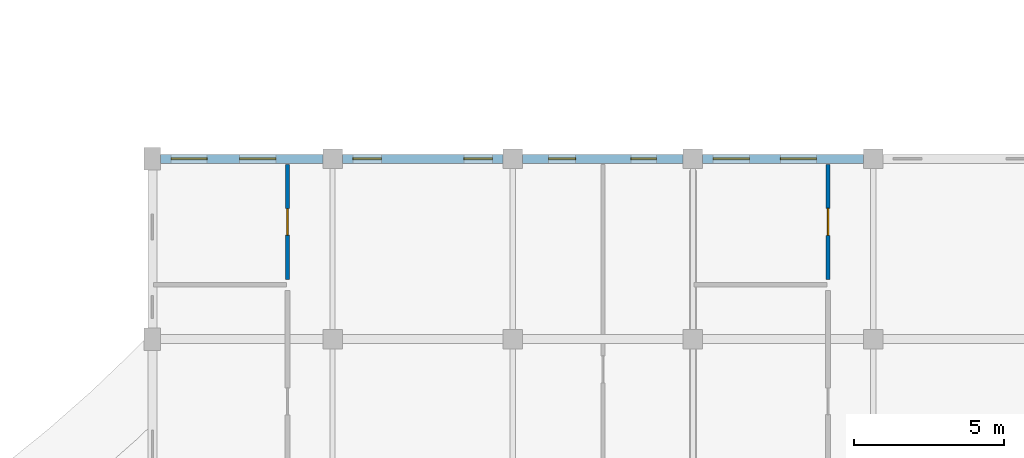
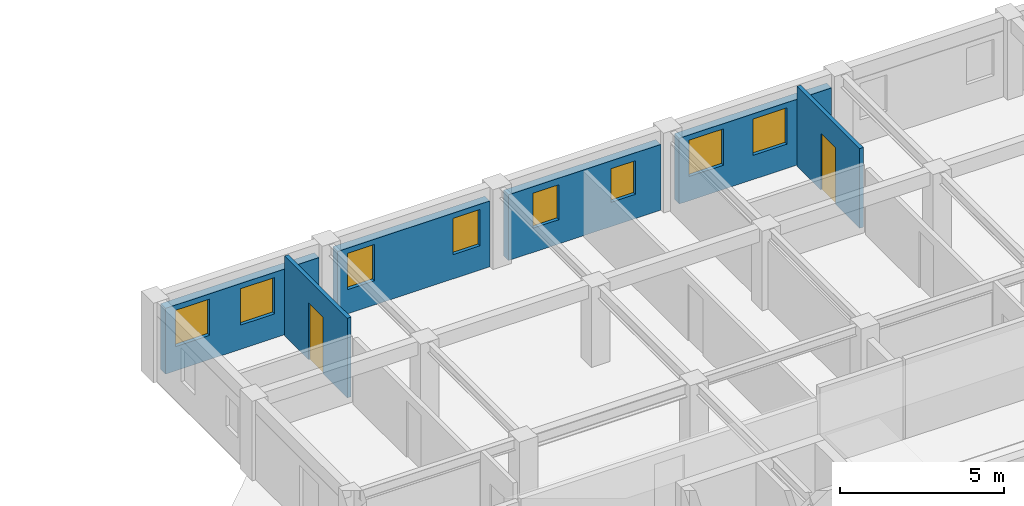
# One storey, part 66 of 100: 8 windows, 6 walls, 2 doors, 10 openings.
"""IFC4 building model written with IfcOpenShell, lengths in metres."""

from ifc_helpers import new_model, si_unit, direction, frame, frame_2d, origin, place, context, subcontext, project, spatial, rectangle, extrude, material, layer, layer_set, type_object, element, fill, save


model = new_model("IFC4")

# Units and contexts
model_context = context("Model", 3, precision=1e-05, world=origin(), true_north=direction((0.0, 1.0)))
body_context = subcontext(model_context, "Body", "Model", "MODEL_VIEW")
ifc_project = project(units=[si_unit("LENGTHUNIT", "METRE"), si_unit("AREAUNIT", "SQUARE_METRE"), si_unit("VOLUMEUNIT", "CUBIC_METRE"), si_unit("PLANEANGLEUNIT", "RADIAN"), si_unit("MASSUNIT", "GRAM", prefix="KILO"), si_unit("POWERUNIT", "WATT"), si_unit("THERMODYNAMICTEMPERATUREUNIT", "KELVIN")], contexts=[model_context])

# Site, building, storey
site_placement = place(None, origin())
site = spatial("IfcSite", under=ifc_project, at=site_placement, CompositionType="ELEMENT")
building_placement = place(site_placement, origin())
building = spatial("IfcBuilding", under=site, at=building_placement, Name="Ruvembo Vaulted Housing Court", CompositionType="ELEMENT")
storey_placement = place(building_placement, frame((0.0, 0.0, 10.89990234375)))
storey = spatial("IfcBuildingStorey", under=building, at=storey_placement, Name="L03", CompositionType="ELEMENT", Elevation=10.89990234375)

# Wall, openings, windows
ifc_material_1 = material(Name="Rendered Masonry 300", Category="masonry")
ifc_layer_1 = layer(ifc_material_1, 0.300048828125, Name="Rendered Masonry 300")
ifc_layer_set_1 = layer_set([ifc_layer_1], Name="Rendered Masonry 300")
wall_type_1 = type_object("IfcWallType", Name="WL-EXT-300", PredefinedType="STANDARD", material=ifc_layer_set_1)
wall_1_placement = place(storey_placement, frame((125.675048828125, 36.0, 0.0), z_axis=(0.0, 0.0, 1.0), x_axis=(-1.0, 0.0, 0.0)))
wall_1 = element("IfcWall", 1, at=wall_1_placement, inside=storey, type_object=wall_type_1, Name="Block C L03 Exterior Wall COURTYARD #3", PredefinedType="STANDARD", context=body_context, shape_type="SweptSolid", body=[
    extrude(rectangle(XDim=5.35009765625, YDim=0.300048828125, at=frame_2d((2.675048828125, 0.0))), origin(), (0.0, 0.0, 1.0), 2.442138671875),
])
opening_1_placement = place(wall_1_placement, frame((1.56494140625, 0.0, 0.89990234375)))
opening_1 = element("IfcOpeningElement", 2, at=opening_1_placement, cuts=wall_1, Name="Opening W12", PredefinedType="OPENING", context=body_context, shape_type="SweptSolid", body=[
    extrude(rectangle(XDim=1.199951171875, YDim=1.35009765625, at=frame_2d((0.60009765625, 0.675048828125))), frame((0.0, 0.159912109375, 0.0), z_axis=(0.0, -1.0, 0.0), x_axis=(1.0, 0.0, 0.0)), (0.0, 0.0, 1.0), 0.320068359375),
])
opening_2_placement = place(wall_1_placement, frame((3.800048828125, 0.0, 0.89990234375)))
opening_2 = element("IfcOpeningElement", 3, at=opening_2_placement, cuts=wall_1, Name="Opening W12", PredefinedType="OPENING", context=body_context, shape_type="SweptSolid", body=[
    extrude(rectangle(XDim=1.199951171875, YDim=1.35009765625, at=frame_2d((0.60009765625, 0.675048828125))), frame((0.0, 0.159912109375, 0.0), z_axis=(0.0, -1.0, 0.0), x_axis=(1.0, 0.0, 0.0)), (0.0, 0.0, 1.0), 0.320068359375),
])
ifc_material_2 = material(Name="Double Solar-Control Glazing in Aluminium Frame", Category="aluminium")
window_type_1 = type_object("IfcWindowType", Name="WIN-1200x1350", PartitioningType="SINGLE_PANEL", PredefinedType="WINDOW", material=ifc_material_2)
window_1_placement = place(opening_1_placement, origin())
window_1 = element("IfcWindow", 4, at=window_1_placement, inside=storey, type_object=window_type_1, Name="Block C L03 Window #1223", OverallHeight=1.35009765625, OverallWidth=1.199951171875, PartitioningType="SINGLE_PANEL", PredefinedType="WINDOW", context=body_context, shape_type="SweptSolid", body=[
    extrude(rectangle(XDim=1.199951171875, YDim=1.35009765625, at=frame_2d((0.60009765625, 0.675048828125))), frame((0.0, 0.030029296875, 0.0), z_axis=(0.0, -1.0, 0.0), x_axis=(1.0, 0.0, 0.0)), (0.0, 0.0, 1.0), 0.06005859375),
])
fill(opening_1, window_1)
window_2_placement = place(opening_2_placement, origin())
window_2 = element("IfcWindow", 5, at=window_2_placement, inside=storey, type_object=window_type_1, Name="Block C L03 Window #1224", OverallHeight=1.35009765625, OverallWidth=1.199951171875, PartitioningType="SINGLE_PANEL", PredefinedType="WINDOW", context=body_context, shape_type="SweptSolid", body=[
    extrude(rectangle(XDim=1.199951171875, YDim=1.35009765625, at=frame_2d((0.60009765625, 0.675048828125))), frame((0.0, 0.030029296875, 0.0), z_axis=(0.0, -1.0, 0.0), x_axis=(1.0, 0.0, 0.0)), (0.0, 0.0, 1.0), 0.06005859375),
])
fill(opening_2, window_2)

wall_2_placement = place(storey_placement, frame((119.675048828125, 36.0, 0.0), z_axis=(0.0, 0.0, 1.0), x_axis=(-1.0, 0.0, 0.0)))
wall_2 = element("IfcWall", 6, at=wall_2_placement, inside=storey, type_object=wall_type_1, Name="Block C L03 Exterior Wall COURTYARD #4", PredefinedType="STANDARD", context=body_context, shape_type="SweptSolid", body=[
    extrude(rectangle(XDim=5.35009765625, YDim=0.300048828125, at=frame_2d((2.675048828125, 0.0))), origin(), (0.0, 0.0, 1.0), 2.442138671875),
])
opening_3_placement = place(wall_2_placement, frame((0.892578125, 0.0, 0.89990234375)))
opening_3 = element("IfcOpeningElement", 7, at=opening_3_placement, cuts=wall_2, Name="Opening W03", PredefinedType="OPENING", context=body_context, shape_type="SweptSolid", body=[
    extrude(rectangle(XDim=0.85009765625, YDim=1.25, at=frame_2d((0.425048828125, 0.625))), frame((0.0, 0.159912109375, 0.0), z_axis=(0.0, -1.0, 0.0), x_axis=(1.0, 0.0, 0.0)), (0.0, 0.0, 1.0), 0.320068359375),
])
opening_4_placement = place(wall_2_placement, frame((3.58251953125, 0.0, 0.89990234375)))
opening_4 = element("IfcOpeningElement", 8, at=opening_4_placement, cuts=wall_2, Name="Opening W04", PredefinedType="OPENING", context=body_context, shape_type="SweptSolid", body=[
    extrude(rectangle(XDim=0.89990234375, YDim=1.300048828125, at=frame_2d((0.449951171875, 0.64990234375))), frame((0.0, 0.159912109375, 0.0), z_axis=(0.0, -1.0, 0.0), x_axis=(1.0, 0.0, 0.0)), (0.0, 0.0, 1.0), 0.320068359375),
])
window_type_2 = type_object("IfcWindowType", Name="WIN-0850x1250", PartitioningType="SINGLE_PANEL", PredefinedType="WINDOW", material=ifc_material_2)
window_3_placement = place(opening_3_placement, origin())
window_3 = element("IfcWindow", 9, at=window_3_placement, inside=storey, type_object=window_type_2, Name="Block C L03 Window #1225", OverallHeight=1.25, OverallWidth=0.85009765625, PartitioningType="SINGLE_PANEL", PredefinedType="WINDOW", context=body_context, shape_type="SweptSolid", body=[
    extrude(rectangle(XDim=0.85009765625, YDim=1.25, at=frame_2d((0.425048828125, 0.625))), frame((0.0, 0.030029296875, 0.0), z_axis=(0.0, -1.0, 0.0), x_axis=(1.0, 0.0, 0.0)), (0.0, 0.0, 1.0), 0.06005859375),
])
fill(opening_3, window_3)
window_type_3 = type_object("IfcWindowType", Name="WIN-0900x1300", PartitioningType="SINGLE_PANEL", PredefinedType="WINDOW", material=ifc_material_2)
window_4_placement = place(opening_4_placement, origin())
window_4 = element("IfcWindow", 10, at=window_4_placement, inside=storey, type_object=window_type_3, Name="Block C L03 Window #1226", OverallHeight=1.300048828125, OverallWidth=0.89990234375, PartitioningType="SINGLE_PANEL", PredefinedType="WINDOW", context=body_context, shape_type="SweptSolid", body=[
    extrude(rectangle(XDim=0.89990234375, YDim=1.300048828125, at=frame_2d((0.449951171875, 0.64990234375))), frame((0.0, 0.030029296875, 0.0), z_axis=(0.0, -1.0, 0.0), x_axis=(1.0, 0.0, 0.0)), (0.0, 0.0, 1.0), 0.06005859375),
])
fill(opening_4, window_4)

wall_3_placement = place(storey_placement, frame((113.675048828125, 36.0, 0.0), z_axis=(0.0, 0.0, 1.0), x_axis=(-1.0, 0.0, 0.0)))
wall_3 = element("IfcWall", 11, at=wall_3_placement, inside=storey, type_object=wall_type_1, Name="Block C L03 Exterior Wall COURTYARD #5", PredefinedType="STANDARD", context=body_context, shape_type="SweptSolid", body=[
    extrude(rectangle(XDim=5.35009765625, YDim=0.300048828125, at=frame_2d((2.675048828125, 0.0))), origin(), (0.0, 0.0, 1.0), 2.442138671875),
])
opening_5_placement = place(wall_3_placement, frame((0.35009765625, 0.0, 0.89990234375)))
opening_5 = element("IfcOpeningElement", 12, at=opening_5_placement, cuts=wall_3, Name="Opening W07", PredefinedType="OPENING", context=body_context, shape_type="SweptSolid", body=[
    extrude(rectangle(XDim=0.949951171875, YDim=1.35009765625, at=frame_2d((0.47509765625, 0.675048828125))), frame((0.0, 0.159912109375, 0.0), z_axis=(0.0, -1.0, 0.0), x_axis=(1.0, 0.0, 0.0)), (0.0, 0.0, 1.0), 0.320068359375),
])
opening_6_placement = place(wall_3_placement, frame((4.050048828125, 0.0, 0.89990234375)))
opening_6 = element("IfcOpeningElement", 13, at=opening_6_placement, cuts=wall_3, Name="Opening W07", PredefinedType="OPENING", context=body_context, shape_type="SweptSolid", body=[
    extrude(rectangle(XDim=0.949951171875, YDim=1.35009765625, at=frame_2d((0.47509765625, 0.675048828125))), frame((0.0, 0.159912109375, 0.0), z_axis=(0.0, -1.0, 0.0), x_axis=(1.0, 0.0, 0.0)), (0.0, 0.0, 1.0), 0.320068359375),
])
window_type_4 = type_object("IfcWindowType", Name="WIN-0950x1350", PartitioningType="SINGLE_PANEL", PredefinedType="WINDOW", material=ifc_material_2)
window_5_placement = place(opening_5_placement, origin())
window_5 = element("IfcWindow", 14, at=window_5_placement, inside=storey, type_object=window_type_4, Name="Block C L03 Window #1227", OverallHeight=1.35009765625, OverallWidth=0.949951171875, PartitioningType="SINGLE_PANEL", PredefinedType="WINDOW", context=body_context, shape_type="SweptSolid", body=[
    extrude(rectangle(XDim=0.949951171875, YDim=1.35009765625, at=frame_2d((0.47509765625, 0.675048828125))), frame((0.0, 0.030029296875, 0.0), z_axis=(0.0, -1.0, 0.0), x_axis=(1.0, 0.0, 0.0)), (0.0, 0.0, 1.0), 0.06005859375),
])
fill(opening_5, window_5)
window_6_placement = place(opening_6_placement, origin())
window_6 = element("IfcWindow", 15, at=window_6_placement, inside=storey, type_object=window_type_4, Name="Block C L03 Window #1228", OverallHeight=1.35009765625, OverallWidth=0.949951171875, PartitioningType="SINGLE_PANEL", PredefinedType="WINDOW", context=body_context, shape_type="SweptSolid", body=[
    extrude(rectangle(XDim=0.949951171875, YDim=1.35009765625, at=frame_2d((0.47509765625, 0.675048828125))), frame((0.0, 0.030029296875, 0.0), z_axis=(0.0, -1.0, 0.0), x_axis=(1.0, 0.0, 0.0)), (0.0, 0.0, 1.0), 0.06005859375),
])
fill(opening_6, window_6)

wall_4_placement = place(storey_placement, frame((107.675048828125, 36.0, 0.0), z_axis=(0.0, 0.0, 1.0), x_axis=(-1.0, 0.0, 0.0)))
wall_4 = element("IfcWall", 16, at=wall_4_placement, inside=storey, type_object=wall_type_1, Name="Block C L03 Exterior Wall COURTYARD #6", PredefinedType="STANDARD", context=body_context, shape_type="SweptSolid", body=[
    extrude(rectangle(XDim=5.400146484375, YDim=0.300048828125, at=frame_2d((2.7001953125, 0.0))), origin(), (0.0, 0.0, 1.0), 2.442138671875),
])
opening_7_placement = place(wall_4_placement, frame((1.56494140625, 0.0, 0.89990234375)))
opening_7 = element("IfcOpeningElement", 17, at=opening_7_placement, cuts=wall_4, Name="Opening W12", PredefinedType="OPENING", context=body_context, shape_type="SweptSolid", body=[
    extrude(rectangle(XDim=1.199951171875, YDim=1.35009765625, at=frame_2d((0.60009765625, 0.675048828125))), frame((0.0, 0.159912109375, 0.0), z_axis=(0.0, -1.0, 0.0), x_axis=(1.0, 0.0, 0.0)), (0.0, 0.0, 1.0), 0.320068359375),
])
opening_8_placement = place(wall_4_placement, frame((3.85009765625, 0.0, 0.89990234375)))
opening_8 = element("IfcOpeningElement", 18, at=opening_8_placement, cuts=wall_4, Name="Opening W12", PredefinedType="OPENING", context=body_context, shape_type="SweptSolid", body=[
    extrude(rectangle(XDim=1.199951171875, YDim=1.35009765625, at=frame_2d((0.60009765625, 0.675048828125))), frame((0.0, 0.159912109375, 0.0), z_axis=(0.0, -1.0, 0.0), x_axis=(1.0, 0.0, 0.0)), (0.0, 0.0, 1.0), 0.320068359375),
])
window_7_placement = place(opening_7_placement, origin())
window_7 = element("IfcWindow", 19, at=window_7_placement, inside=storey, type_object=window_type_1, Name="Block C L03 Window #1229", OverallHeight=1.35009765625, OverallWidth=1.199951171875, PartitioningType="SINGLE_PANEL", PredefinedType="WINDOW", context=body_context, shape_type="SweptSolid", body=[
    extrude(rectangle(XDim=1.199951171875, YDim=1.35009765625, at=frame_2d((0.60009765625, 0.675048828125))), frame((0.0, 0.030029296875, 0.0), z_axis=(0.0, -1.0, 0.0), x_axis=(1.0, 0.0, 0.0)), (0.0, 0.0, 1.0), 0.06005859375),
])
fill(opening_7, window_7)
window_8_placement = place(opening_8_placement, origin())
window_8 = element("IfcWindow", 20, at=window_8_placement, inside=storey, type_object=window_type_1, Name="Block C L03 Window #1230", OverallHeight=1.35009765625, OverallWidth=1.199951171875, PartitioningType="SINGLE_PANEL", PredefinedType="WINDOW", context=body_context, shape_type="SweptSolid", body=[
    extrude(rectangle(XDim=1.199951171875, YDim=1.35009765625, at=frame_2d((0.60009765625, 0.675048828125))), frame((0.0, 0.030029296875, 0.0), z_axis=(0.0, -1.0, 0.0), x_axis=(1.0, 0.0, 0.0)), (0.0, 0.0, 1.0), 0.06005859375),
])
fill(opening_8, window_8)

# Wall, opening, door
ifc_material_3 = material(Name="Acoustic Stud Partition 135", Category="gypsum")
ifc_layer_2 = layer(ifc_material_3, 0.135009765625, Name="Acoustic Stud Partition 135")
ifc_layer_set_2 = layer_set([ifc_layer_2], Name="Acoustic Stud Partition 135")
wall_type_2 = type_object("IfcWallType", Name="WL-PART-135", PredefinedType="PARTITIONING", material=ifc_layer_set_2)
wall_5_placement = place(storey_placement, frame((106.5, 31.989990234375, 0.0), z_axis=(0.0, 0.0, 1.0), x_axis=(0.0, 1.0, 0.0)))
wall_5 = element("IfcWall", 21, at=wall_5_placement, inside=storey, type_object=wall_type_2, Name="L03 Flat C-L03-N1 Bedroom 1 WL-INT-L03-00909", PredefinedType="PARTITIONING", context=body_context, shape_type="SweptSolid", body=[
    extrude(rectangle(XDim=3.820068359375, YDim=0.135009765625, at=frame_2d((1.91015625, 0.0))), origin(), (0.0, 0.0, 1.0), 2.960205078125),
])
opening_9_placement = place(wall_5_placement, frame((1.469970703125, 0.0, 0.0)))
opening_9 = element("IfcOpeningElement", 22, at=opening_9_placement, cuts=wall_5, Name="Opening ID3", PredefinedType="OPENING", context=body_context, shape_type="SweptSolid", body=[
    extrude(rectangle(XDim=0.8798828125, YDim=2.10009765625, at=frame_2d((0.43994140625, 1.050048828125))), frame((0.0, 0.077392578125, 0.0), z_axis=(0.0, -1.0, 0.0), x_axis=(1.0, 0.0, 0.0)), (0.0, 0.0, 1.0), 0.155029296875),
])
ifc_material_4 = material(Name="FSC Hardwood and Engineered Timber", Category="wood")
door_type_1 = type_object("IfcDoorType", Name="DR-ROOM-0880x2100", OperationType="NOTDEFINED", PredefinedType="DOOR", material=ifc_material_4)
door_1_placement = place(opening_9_placement, origin())
door_1 = element("IfcDoor", 23, at=door_1_placement, inside=storey, type_object=door_type_1, Name="L03 Flat C-L03-N1 Bedroom 1 Door DR-INT-L03-00501", OperationType="SINGLE_SWING_LEFT", OverallHeight=2.10009765625, OverallWidth=0.8798828125, PredefinedType="DOOR", context=body_context, shape_type="SweptSolid", body=[
    extrude(rectangle(XDim=0.8798828125, YDim=2.10009765625, at=frame_2d((0.43994140625, 1.050048828125))), frame((0.0, 0.02490234375, 0.0), z_axis=(0.0, -1.0, 0.0), x_axis=(1.0, 0.0, 0.0)), (0.0, 0.0, 1.0), 0.050048828125),
])
fill(opening_9, door_1)

wall_6_placement = place(storey_placement, frame((124.5, 31.989990234375, 0.0), z_axis=(0.0, 0.0, 1.0), x_axis=(0.0, 1.0, 0.0)))
wall_6 = element("IfcWall", 24, at=wall_6_placement, inside=storey, type_object=wall_type_2, Name="L03 Flat C-L03-N2 Bedroom 1 WL-INT-L03-00918", PredefinedType="PARTITIONING", context=body_context, shape_type="SweptSolid", body=[
    extrude(rectangle(XDim=3.820068359375, YDim=0.135009765625, at=frame_2d((1.91015625, 0.0))), origin(), (0.0, 0.0, 1.0), 2.960205078125),
])
opening_10_placement = place(wall_6_placement, frame((1.4599609375, 0.0, 0.0)))
opening_10 = element("IfcOpeningElement", 25, at=opening_10_placement, cuts=wall_6, Name="Opening ID1", PredefinedType="OPENING", context=body_context, shape_type="SweptSolid", body=[
    extrude(rectangle(XDim=0.89990234375, YDim=2.10009765625, at=frame_2d((0.449951171875, 1.050048828125))), frame((0.0, 0.077392578125, 0.0), z_axis=(0.0, -1.0, 0.0), x_axis=(1.0, 0.0, 0.0)), (0.0, 0.0, 1.0), 0.155029296875),
])
door_type_2 = type_object("IfcDoorType", Name="DR-ROOM-0900x2100", OperationType="NOTDEFINED", PredefinedType="DOOR", material=ifc_material_4)
door_2_placement = place(opening_10_placement, origin())
door_2 = element("IfcDoor", 26, at=door_2_placement, inside=storey, type_object=door_type_2, Name="L03 Flat C-L03-N2 Bedroom 1 Door DR-INT-L03-00506", OperationType="SINGLE_SWING_RIGHT", OverallHeight=2.10009765625, OverallWidth=0.89990234375, PredefinedType="DOOR", context=body_context, shape_type="SweptSolid", body=[
    extrude(rectangle(XDim=0.89990234375, YDim=2.10009765625, at=frame_2d((0.449951171875, 1.050048828125))), frame((0.0, 0.02490234375, 0.0), z_axis=(0.0, -1.0, 0.0), x_axis=(1.0, 0.0, 0.0)), (0.0, 0.0, 1.0), 0.050048828125),
])
fill(opening_10, door_2)

save(model, "model.ifc")
